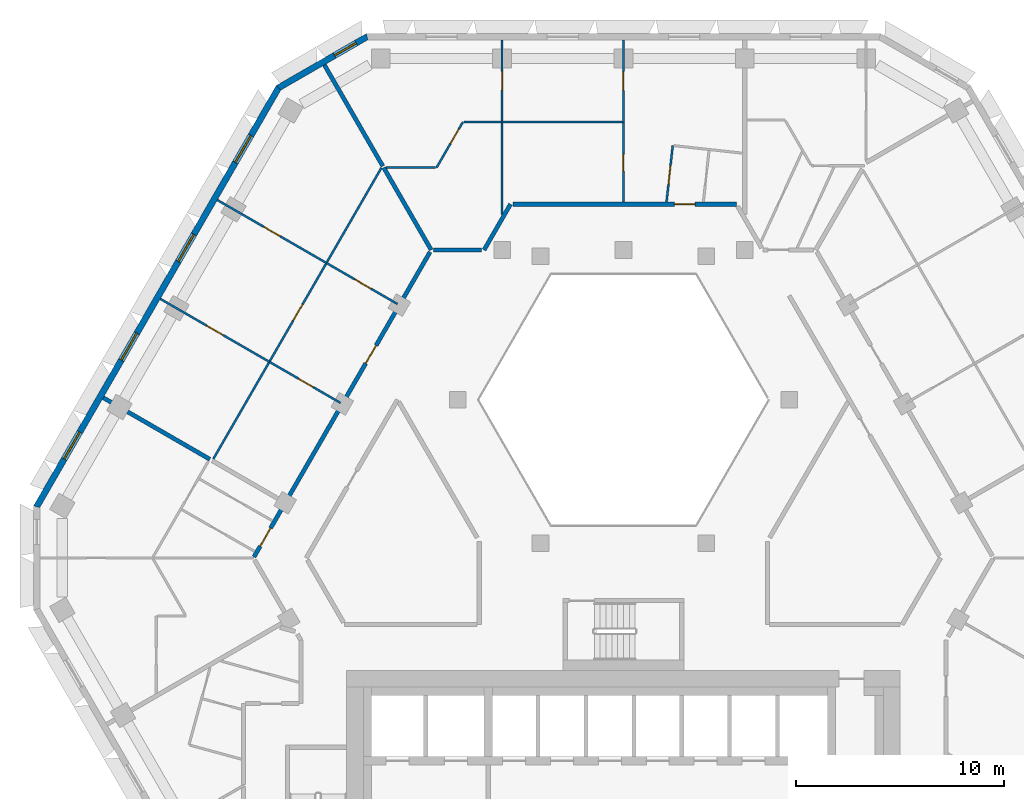
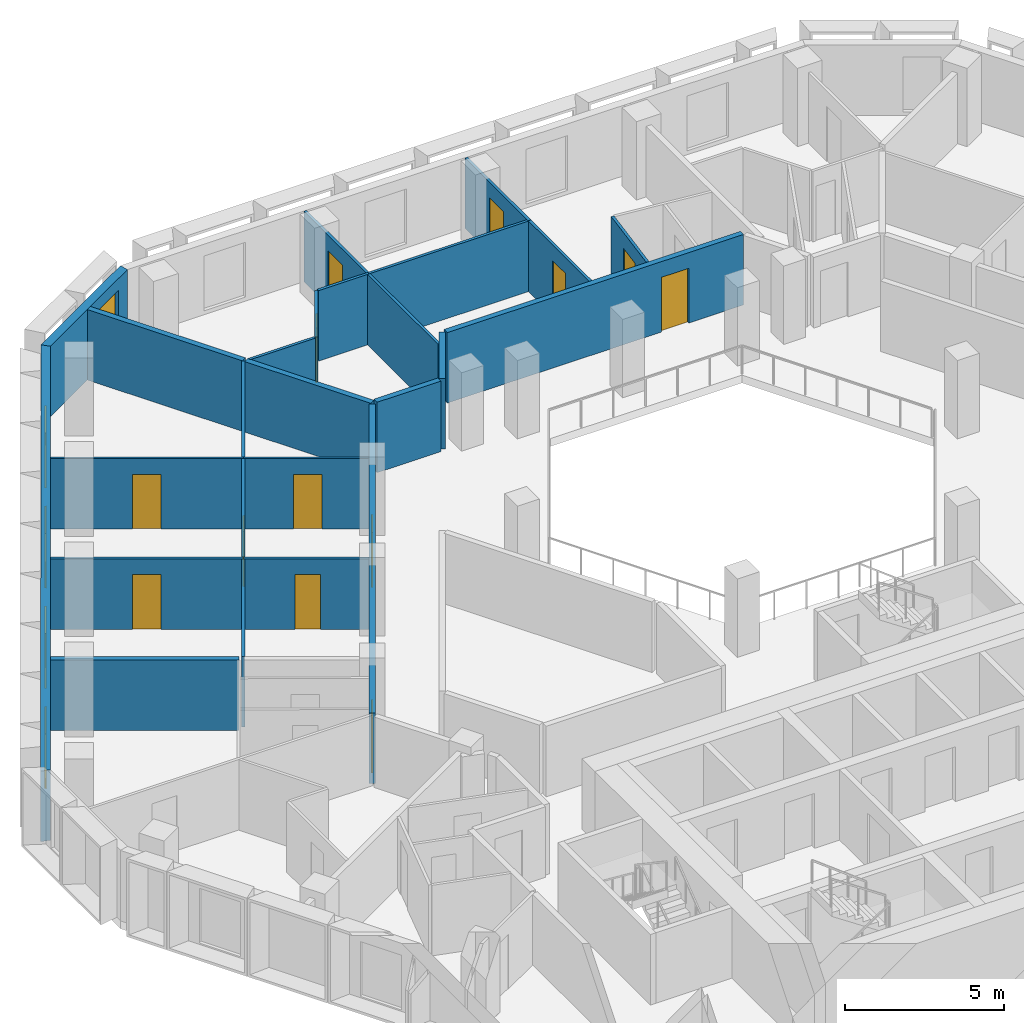
# One storey, part 7 of 15: 22 walls, 13 doors, 5 windows, 18 openings.
"""IFC4 building model written with IfcOpenShell, lengths in metres."""

from ifc_helpers import new_model, si_unit, direction, frame, frame_2d, origin, place, context, subcontext, project, spatial, polyline, rectangle, outline, extrude, material, layer, layer_set, type_object, element, fill, save


model = new_model("IFC4")

# Units and contexts
model_context = context("Model", 3, precision=1e-05, world=origin(), true_north=direction((0.0, 1.0)))
body_context = subcontext(model_context, "Body", "Model", "MODEL_VIEW")
ifc_project = project(units=[si_unit("LENGTHUNIT", "METRE"), si_unit("AREAUNIT", "SQUARE_METRE"), si_unit("VOLUMEUNIT", "CUBIC_METRE"), si_unit("PLANEANGLEUNIT", "RADIAN"), si_unit("MASSUNIT", "GRAM", prefix="KILO")], contexts=[model_context])

# Site, building, storey
site_placement = place(None, origin())
site = spatial("IfcSite", under=ifc_project, at=site_placement, CompositionType="ELEMENT")
building_placement = place(site_placement, origin())
building = spatial("IfcBuilding", under=site, at=building_placement, Name="Beryl Residences", CompositionType="ELEMENT")
storey_placement = place(building_placement, frame((0.0, 0.0, 129.60009765625)))
storey = spatial("IfcBuildingStorey", under=building, at=storey_placement, Name="L39", CompositionType="ELEMENT", Elevation=129.60009765625)

# Wall, opening, window
ifc_material_1 = material(Name="Composite metal panel with mineral wool insulation")
ifc_layer_1 = layer(ifc_material_1, 0.300048828125)
ifc_layer_set_1 = layer_set([ifc_layer_1], Name="ES1 pale metal composite panel wall 300 mm")
wall_type_1 = type_object("IfcWallType", Name="ES1 pale metal composite panel wall 300 mm", PredefinedType="SOLIDWALL", material=ifc_layer_set_1)
wall_1_placement = place(storey_placement, frame((-12.280029296875, 25.469970703125, 0.0), z_axis=(0.0, 0.0, 1.0), x_axis=(-0.866022959057, -0.500004234368, 0.0)))
wall_1 = element("IfcWall", 1, at=wall_1_placement, inside=storey, type_object=wall_type_1, Name="ES1 external wall L39 N-NW", PredefinedType="SOLIDWALL", context=body_context, shape_type="SweptSolid", body=[
    extrude(outline(polyline([(0.0, -0.14990234375), (5.0, -0.14990234375), (4.919677734375, 0.14990234375), (0.080322265625, 0.14990234375), (0.0, -0.14990234375)])), origin(), (0.0, 0.0, 1.0), 2.699951171875),
])
opening_1_placement = place(wall_1_placement, frame((0.64990234375, 0.0, 0.14990234375)))
opening_1 = element("IfcOpeningElement", 2, at=opening_1_placement, cuts=wall_1, Name="Opening W2", PredefinedType="OPENING", context=body_context, shape_type="SweptSolid", body=[
    extrude(rectangle(XDim=1.199951171875, YDim=2.10009765625, at=frame_2d((0.60009765625, 1.050048828125))), frame((0.0, 0.159912109375, 0.0), z_axis=(0.0, -1.0, 0.0), x_axis=(1.0, 0.0, 0.0)), (0.0, 0.0, 1.0), 0.320068359375),
])
ifc_material_2 = material(Name="Aluminium and clear glass", Category="aluminium")
window_type_1 = type_object("IfcWindowType", Name="W2 chamfer window 1200 x 2100 mm", PartitioningType="SINGLE_PANEL", PredefinedType="WINDOW", material=ifc_material_2)
window_1_placement = place(opening_1_placement, origin())
window_1 = element("IfcWindow", 3, at=window_1_placement, inside=storey, type_object=window_type_1, Name="W2 window L39 N-NW 1", OverallHeight=2.10009765625, OverallWidth=1.199951171875, PartitioningType="SINGLE_PANEL", PredefinedType="WINDOW", context=body_context, shape_type="SweptSolid", body=[
    extrude(rectangle(XDim=1.199951171875, YDim=2.10009765625, at=frame_2d((0.60009765625, 1.050048828125))), frame((0.0, 0.030029296875, 0.0), z_axis=(0.0, -1.0, 0.0), x_axis=(1.0, 0.0, 0.0)), (0.0, 0.0, 1.0), 0.06005859375),
])
fill(opening_1, window_1)

# Wall, openings, windows
wall_2_placement = place(storey_placement, frame((-16.554931640625, 23.02490234375, 0.0), z_axis=(0.0, 0.0, 1.0), x_axis=(-0.500020536353, -0.866013546791, 0.0)))
wall_2 = element("IfcWall", 4, at=wall_2_placement, inside=storey, type_object=wall_type_1, Name="ES1 external wall L39 NW", PredefinedType="SOLIDWALL", context=body_context, shape_type="SweptSolid", body=[
    extrude(outline(polyline([(0.0, -0.14990234375), (23.3251953125, -0.14990234375), (23.244873046875, 0.14990234375), (0.080322265625, 0.14990234375), (0.0, -0.14990234375)])), origin(), (0.0, 0.0, 1.0), 2.699951171875),
])
opening_2_placement = place(wall_2_placement, frame((2.68505859375, 0.0, 0.14990234375)))
opening_2 = element("IfcOpeningElement", 5, at=opening_2_placement, cuts=wall_2, Name="Opening W1", PredefinedType="OPENING", context=body_context, shape_type="SweptSolid", body=[
    extrude(rectangle(XDim=1.5, YDim=2.10009765625, at=frame_2d((0.75, 1.050048828125))), frame((0.0, 0.159912109375, 0.0), z_axis=(0.0, -1.0, 0.0), x_axis=(1.0, 0.0, 0.0)), (0.0, 0.0, 1.0), 0.320068359375),
])
opening_3_placement = place(wall_2_placement, frame((8.1708984375, 0.0, 0.14990234375)))
opening_3 = element("IfcOpeningElement", 6, at=opening_3_placement, cuts=wall_2, Name="Opening W1", PredefinedType="OPENING", context=body_context, shape_type="SweptSolid", body=[
    extrude(rectangle(XDim=1.5, YDim=2.10009765625, at=frame_2d((0.75, 1.050048828125))), frame((0.0, 0.159912109375, 0.0), z_axis=(0.0, -1.0, 0.0), x_axis=(1.0, 0.0, 0.0)), (0.0, 0.0, 1.0), 0.320068359375),
])
opening_4_placement = place(wall_2_placement, frame((13.655029296875, 0.0, 0.14990234375)))
opening_4 = element("IfcOpeningElement", 7, at=opening_4_placement, cuts=wall_2, Name="Opening W1", PredefinedType="OPENING", context=body_context, shape_type="SweptSolid", body=[
    extrude(rectangle(XDim=1.5, YDim=2.10009765625, at=frame_2d((0.75, 1.050048828125))), frame((0.0, 0.159912109375, 0.0), z_axis=(0.0, -1.0, 0.0), x_axis=(1.0, 0.0, 0.0)), (0.0, 0.0, 1.0), 0.320068359375),
])
opening_5_placement = place(wall_2_placement, frame((19.139892578125, 0.0, 0.14990234375)))
opening_5 = element("IfcOpeningElement", 8, at=opening_5_placement, cuts=wall_2, Name="Opening W1", PredefinedType="OPENING", context=body_context, shape_type="SweptSolid", body=[
    extrude(rectangle(XDim=1.5, YDim=2.10009765625, at=frame_2d((0.75, 1.050048828125))), frame((0.0, 0.159912109375, 0.0), z_axis=(0.0, -1.0, 0.0), x_axis=(1.0, 0.0, 0.0)), (0.0, 0.0, 1.0), 0.320068359375),
])
ifc_material_3 = material(Name="Aluminium and clear glass", Category="aluminium")
window_type_2 = type_object("IfcWindowType", Name="W1 cell window 1500 x 2100 mm", PartitioningType="SINGLE_PANEL", PredefinedType="WINDOW", material=ifc_material_3)
window_2_placement = place(opening_2_placement, origin())
window_2 = element("IfcWindow", 9, at=window_2_placement, inside=storey, type_object=window_type_2, Name="W1 window L39 NW 2", OverallHeight=2.10009765625, OverallWidth=1.5, PartitioningType="SINGLE_PANEL", PredefinedType="WINDOW", context=body_context, shape_type="SweptSolid", body=[
    extrude(rectangle(XDim=1.5, YDim=2.10009765625, at=frame_2d((0.75, 1.050048828125))), frame((0.0, 0.030029296875, 0.0), z_axis=(0.0, -1.0, 0.0), x_axis=(1.0, 0.0, 0.0)), (0.0, 0.0, 1.0), 0.06005859375),
])
fill(opening_2, window_2)
window_3_placement = place(opening_3_placement, origin())
window_3 = element("IfcWindow", 10, at=window_3_placement, inside=storey, type_object=window_type_2, Name="W1 window L39 NW 4", OverallHeight=2.10009765625, OverallWidth=1.5, PartitioningType="SINGLE_PANEL", PredefinedType="WINDOW", context=body_context, shape_type="SweptSolid", body=[
    extrude(rectangle(XDim=1.5, YDim=2.10009765625, at=frame_2d((0.75, 1.050048828125))), frame((0.0, 0.030029296875, 0.0), z_axis=(0.0, -1.0, 0.0), x_axis=(1.0, 0.0, 0.0)), (0.0, 0.0, 1.0), 0.06005859375),
])
fill(opening_3, window_3)
window_4_placement = place(opening_4_placement, origin())
window_4 = element("IfcWindow", 11, at=window_4_placement, inside=storey, type_object=window_type_2, Name="W1 window L39 NW 6", OverallHeight=2.10009765625, OverallWidth=1.5, PartitioningType="SINGLE_PANEL", PredefinedType="WINDOW", context=body_context, shape_type="SweptSolid", body=[
    extrude(rectangle(XDim=1.5, YDim=2.10009765625, at=frame_2d((0.75, 1.050048828125))), frame((0.0, 0.030029296875, 0.0), z_axis=(0.0, -1.0, 0.0), x_axis=(1.0, 0.0, 0.0)), (0.0, 0.0, 1.0), 0.06005859375),
])
fill(opening_4, window_4)
window_5_placement = place(opening_5_placement, origin())
window_5 = element("IfcWindow", 12, at=window_5_placement, inside=storey, type_object=window_type_2, Name="W1 window L39 NW 8", OverallHeight=2.10009765625, OverallWidth=1.5, PartitioningType="SINGLE_PANEL", PredefinedType="WINDOW", context=body_context, shape_type="SweptSolid", body=[
    extrude(rectangle(XDim=1.5, YDim=2.10009765625, at=frame_2d((0.75, 1.050048828125))), frame((0.0, 0.030029296875, 0.0), z_axis=(0.0, -1.0, 0.0), x_axis=(1.0, 0.0, 0.0)), (0.0, 0.0, 1.0), 0.06005859375),
])
fill(opening_5, window_5)

# Wall, opening, door
ifc_material_4 = material(Name="Gypsum board partition on steel studs", Category="steel")
ifc_layer_2 = layer(ifc_material_4, 0.10009765625)
ifc_layer_set_2 = layer_set([ifc_layer_2], Name="PT1 partition 100 mm gypsum board on steel studs")
wall_type_2 = type_object("IfcWallType", Name="PT1 partition 100 mm gypsum board on steel studs", PredefinedType="PARTITIONING", material=ifc_layer_set_2)
wall_3_placement = place(storey_placement, frame((0.0, 21.324951171875, 0.0), z_axis=(0.0, 0.0, 1.0), x_axis=(0.0, -1.0, 0.0)))
wall_3 = element("IfcWall", 13, at=wall_3_placement, inside=storey, type_object=wall_type_2, Name="Wall PT1 L39 007", PredefinedType="PARTITIONING", context=body_context, shape_type="SweptSolid", body=[
    extrude(rectangle(XDim=3.824951171875, YDim=0.10009765625, at=frame_2d((1.91259765625, 0.0))), origin(), (0.0, 0.0, 1.0), 2.699951171875),
])
opening_6_placement = place(wall_3_placement, frame((1.537109375, 0.0, 0.0)))
opening_6 = element("IfcOpeningElement", 14, at=opening_6_placement, cuts=wall_3, Name="Opening D1233", PredefinedType="OPENING", context=body_context, shape_type="SweptSolid", body=[
    extrude(rectangle(XDim=0.800048828125, YDim=2.10009765625, at=frame_2d((0.39990234375, 1.050048828125))), frame((0.0, 0.06005859375, 0.0), z_axis=(0.0, -1.0, 0.0), x_axis=(1.0, 0.0, 0.0)), (0.0, 0.0, 1.0), 0.1201171875),
])
ifc_material_5 = material(Name="Timber door leaf", Category="wood")
door_type_1 = type_object("IfcDoorType", Name="D3 bathroom door 800 x 2100 mm", OperationType="SINGLE_SWING_LEFT", PredefinedType="DOOR", material=ifc_material_5)
door_1_placement = place(opening_6_placement, origin())
door_1 = element("IfcDoor", 15, at=door_1_placement, inside=storey, type_object=door_type_1, Name="Door D1233 L39 001", OperationType="SINGLE_SWING_LEFT", OverallHeight=2.10009765625, OverallWidth=0.800048828125, PredefinedType="DOOR", context=body_context, shape_type="SweptSolid", body=[
    extrude(rectangle(XDim=0.800048828125, YDim=2.10009765625, at=frame_2d((0.39990234375, 1.050048828125))), frame((0.0, 0.02490234375, 0.0), z_axis=(0.0, -1.0, 0.0), x_axis=(1.0, 0.0, 0.0)), (0.0, 0.0, 1.0), 0.050048828125),
])
fill(opening_6, door_1)

wall_4_placement = place(storey_placement, frame((-22.257080078125, 12.85009765625, 0.0), z_axis=(0.0, 0.0, 1.0), x_axis=(0.866028448709, -0.499994725999, 0.0)))
wall_4 = element("IfcWall", 16, at=wall_4_placement, inside=storey, type_object=wall_type_2, Name="Wall PT1 L39 015", PredefinedType="PARTITIONING", context=body_context, shape_type="SweptSolid", body=[
    extrude(rectangle(XDim=6.05419921875, YDim=0.10009765625, at=frame_2d((3.027099609375, 0.0))), origin(), (0.0, 0.0, 1.0), 2.699951171875),
])
opening_7_placement = place(wall_4_placement, frame((2.576904296875, 0.0, 0.0)))
opening_7 = element("IfcOpeningElement", 17, at=opening_7_placement, cuts=wall_4, Name="Opening D1241", PredefinedType="OPENING", context=body_context, shape_type="SweptSolid", body=[
    extrude(rectangle(XDim=0.89990234375, YDim=2.10009765625, at=frame_2d((0.449951171875, 1.050048828125))), frame((0.0, 0.06005859375, 0.0), z_axis=(0.0, -1.0, 0.0), x_axis=(1.0, 0.0, 0.0)), (0.0, 0.0, 1.0), 0.1201171875),
])
ifc_material_6 = material(Name="Timber door leaf", Category="wood")
door_type_2 = type_object("IfcDoorType", Name="D2 room door 900 x 2100 mm", OperationType="SINGLE_SWING_LEFT", PredefinedType="DOOR", material=ifc_material_6)
door_2_placement = place(opening_7_placement, origin())
door_2 = element("IfcDoor", 18, at=door_2_placement, inside=storey, type_object=door_type_2, Name="Door D1241 L39 001", OperationType="SINGLE_SWING_LEFT", OverallHeight=2.10009765625, OverallWidth=0.89990234375, PredefinedType="DOOR", context=body_context, shape_type="SweptSolid", body=[
    extrude(rectangle(XDim=0.89990234375, YDim=2.10009765625, at=frame_2d((0.449951171875, 1.050048828125))), frame((0.0, 0.02490234375, 0.0), z_axis=(0.0, -1.0, 0.0), x_axis=(1.0, 0.0, 0.0)), (0.0, 0.0, 1.0), 0.050048828125),
])
fill(opening_7, door_2)

wall_5_placement = place(storey_placement, frame((-19.513916015625, 17.59912109375, 0.0), z_axis=(0.0, 0.0, 1.0), x_axis=(0.866088213453, -0.49989119468, 0.0)))
wall_5 = element("IfcWall", 19, at=wall_5_placement, inside=storey, type_object=wall_type_2, Name="Wall PT1 L39 017", PredefinedType="PARTITIONING", context=body_context, shape_type="SweptSolid", body=[
    extrude(rectangle(XDim=6.053466796875, YDim=0.10009765625, at=frame_2d((3.02685546875, 0.0))), origin(), (0.0, 0.0, 1.0), 2.699951171875),
])
opening_8_placement = place(wall_5_placement, frame((2.576904296875, 0.0, 0.0)))
opening_8 = element("IfcOpeningElement", 20, at=opening_8_placement, cuts=wall_5, Name="Opening D1242", PredefinedType="OPENING", context=body_context, shape_type="SweptSolid", body=[
    extrude(rectangle(XDim=0.89990234375, YDim=2.10009765625, at=frame_2d((0.449951171875, 1.050048828125))), frame((0.0, 0.06005859375, 0.0), z_axis=(0.0, -1.0, 0.0), x_axis=(1.0, 0.0, 0.0)), (0.0, 0.0, 1.0), 0.1201171875),
])
door_3_placement = place(opening_8_placement, origin())
door_3 = element("IfcDoor", 21, at=door_3_placement, inside=storey, type_object=door_type_2, Name="Door D1242 L39 001", OperationType="SINGLE_SWING_RIGHT", OverallHeight=2.10009765625, OverallWidth=0.89990234375, PredefinedType="DOOR", context=body_context, shape_type="SweptSolid", body=[
    extrude(rectangle(XDim=0.89990234375, YDim=2.10009765625, at=frame_2d((0.449951171875, 1.050048828125))), frame((0.0, 0.02490234375, 0.0), z_axis=(0.0, -1.0, 0.0), x_axis=(1.0, 0.0, 0.0)), (0.0, 0.0, 1.0), 0.050048828125),
])
fill(opening_8, door_3)

# Walls
wall_6_placement = place(storey_placement, frame((-11.405029296875, 19.155029296875, 0.0), z_axis=(0.0, 0.0, 1.0), x_axis=(1.0, 0.0, 0.0)))
element("IfcWall", 22, at=wall_6_placement, inside=storey, type_object=wall_type_2, Name="Wall PT1 L39 025", PredefinedType="PARTITIONING", context=body_context, shape_type="SweptSolid", body=[
    extrude(rectangle(XDim=2.366943359375, YDim=0.10009765625, at=frame_2d((1.18359375, 0.0))), origin(), (0.0, 0.0, 1.0), 2.699951171875),
])
wall_7_placement = place(storey_placement, frame((-7.652099609375, 21.35498046875, 0.0), z_axis=(0.0, 0.0, 1.0), x_axis=(1.0, 0.0, 0.0)))
element("IfcWall", 23, at=wall_7_placement, inside=storey, type_object=wall_type_2, Name="Wall PT1 L39 027", PredefinedType="PARTITIONING", context=body_context, shape_type="SweptSolid", body=[
    extrude(rectangle(XDim=1.821044921875, YDim=0.10009765625, at=frame_2d((0.91064453125, 0.0))), origin(), (0.0, 0.0, 1.0), 2.699951171875),
])

# Wall, opening, door
wall_8_placement = place(storey_placement, frame((-8.98095703125, 19.155029296875, 0.0), z_axis=(0.0, 0.0, 1.0), x_axis=(0.500130227609, 0.865950203783, 0.0)))
wall_8 = element("IfcWall", 24, at=wall_8_placement, inside=storey, type_object=wall_type_2, Name="Wall PT1 L39 030", PredefinedType="PARTITIONING", context=body_context, shape_type="SweptSolid", body=[
    extrude(rectangle(XDim=2.539306640625, YDim=0.10009765625, at=frame_2d((1.26953125, 0.0))), origin(), (0.0, 0.0, 1.0), 2.699951171875),
])
opening_9_placement = place(wall_8_placement, frame((1.340087890625, 0.0, 0.0)))
opening_9 = element("IfcOpeningElement", 25, at=opening_9_placement, cuts=wall_8, Name="Opening D1236", PredefinedType="OPENING", context=body_context, shape_type="SweptSolid", body=[
    extrude(rectangle(XDim=0.800048828125, YDim=2.10009765625, at=frame_2d((0.39990234375, 1.050048828125))), frame((0.0, 0.06005859375, 0.0), z_axis=(0.0, -1.0, 0.0), x_axis=(1.0, 0.0, 0.0)), (0.0, 0.0, 1.0), 0.1201171875),
])
door_4_placement = place(opening_9_placement, origin())
door_4 = element("IfcDoor", 26, at=door_4_placement, inside=storey, type_object=door_type_1, Name="Door D1236 L39 001", OperationType="SINGLE_SWING_RIGHT", OverallHeight=2.10009765625, OverallWidth=0.800048828125, PredefinedType="DOOR", context=body_context, shape_type="SweptSolid", body=[
    extrude(rectangle(XDim=0.800048828125, YDim=2.10009765625, at=frame_2d((0.39990234375, 1.050048828125))), frame((0.0, 0.02490234375, 0.0), z_axis=(0.0, -1.0, 0.0), x_axis=(1.0, 0.0, 0.0)), (0.0, 0.0, 1.0), 0.050048828125),
])
fill(opening_9, door_4)

wall_9_placement = place(storey_placement, frame((-19.7060546875, 5.159912109375, 0.0), z_axis=(0.0, 0.0, 1.0), x_axis=(0.500003799672, 0.866023210032, 0.0)))
wall_9 = element("IfcWall", 27, at=wall_9_placement, inside=storey, type_object=wall_type_2, Name="Wall PT1 L39 031", PredefinedType="PARTITIONING", context=body_context, shape_type="SweptSolid", body=[
    extrude(rectangle(XDim=16.149658203125, YDim=0.10009765625, at=frame_2d((8.07470703125, 0.0))), origin(), (0.0, 0.0, 1.0), 2.699951171875),
])
opening_10_placement = place(wall_9_placement, frame((7.677001953125, 0.0, 0.0)))
opening_10 = element("IfcOpeningElement", 28, at=opening_10_placement, cuts=wall_9, Name="Opening D1238", PredefinedType="OPENING", context=body_context, shape_type="SweptSolid", body=[
    extrude(rectangle(XDim=0.89990234375, YDim=2.10009765625, at=frame_2d((0.449951171875, 1.050048828125))), frame((0.0, 0.06005859375, 0.0), z_axis=(0.0, -1.0, 0.0), x_axis=(1.0, 0.0, 0.0)), (0.0, 0.0, 1.0), 0.1201171875),
])
door_5_placement = place(opening_10_placement, origin())
door_5 = element("IfcDoor", 29, at=door_5_placement, inside=storey, type_object=door_type_2, Name="Door D1238 L39 001", OperationType="SINGLE_SWING_RIGHT", OverallHeight=2.10009765625, OverallWidth=0.89990234375, PredefinedType="DOOR", context=body_context, shape_type="SweptSolid", body=[
    extrude(rectangle(XDim=0.89990234375, YDim=2.10009765625, at=frame_2d((0.449951171875, 1.050048828125))), frame((0.0, 0.02490234375, 0.0), z_axis=(0.0, -1.0, 0.0), x_axis=(1.0, 0.0, 0.0)), (0.0, 0.0, 1.0), 0.050048828125),
])
fill(opening_10, door_5)

wall_10_placement = place(storey_placement, frame((2.070068359375, 17.5, 0.0), z_axis=(0.0, 0.0, 1.0), x_axis=(0.108970694085, 0.994044962681, 0.0)))
wall_10 = element("IfcWall", 30, at=wall_10_placement, inside=storey, type_object=wall_type_2, Name="Wall PT1 L39 036", PredefinedType="PARTITIONING", context=body_context, shape_type="SweptSolid", body=[
    extrude(rectangle(XDim=2.7333984375, YDim=0.10009765625, at=frame_2d((1.36669921875, 0.0))), origin(), (0.0, 0.0, 1.0), 2.699951171875),
])
opening_11_placement = place(wall_10_placement, frame((0.866943359375, 0.0, 0.0)))
opening_11 = element("IfcOpeningElement", 31, at=opening_11_placement, cuts=wall_10, Name="Opening D1231", PredefinedType="OPENING", context=body_context, shape_type="SweptSolid", body=[
    extrude(rectangle(XDim=0.89990234375, YDim=2.10009765625, at=frame_2d((0.449951171875, 1.050048828125))), frame((0.0, 0.06005859375, 0.0), z_axis=(0.0, -1.0, 0.0), x_axis=(1.0, 0.0, 0.0)), (0.0, 0.0, 1.0), 0.1201171875),
])
door_6_placement = place(opening_11_placement, origin())
door_6 = element("IfcDoor", 32, at=door_6_placement, inside=storey, type_object=door_type_2, Name="Door D1231 L39 001", OperationType="SINGLE_SWING_LEFT", OverallHeight=2.10009765625, OverallWidth=0.89990234375, PredefinedType="DOOR", context=body_context, shape_type="SweptSolid", body=[
    extrude(rectangle(XDim=0.89990234375, YDim=2.10009765625, at=frame_2d((0.449951171875, 1.050048828125))), frame((0.0, 0.02490234375, 0.0), z_axis=(0.0, -1.0, 0.0), x_axis=(1.0, 0.0, 0.0)), (0.0, 0.0, 1.0), 0.050048828125),
])
fill(opening_11, door_6)

wall_11_placement = place(storey_placement, frame((0.0, 21.3349609375, 0.0), z_axis=(0.0, 0.0, 1.0), x_axis=(0.0, 1.0, 0.0)))
wall_11 = element("IfcWall", 33, at=wall_11_placement, inside=storey, type_object=wall_type_2, Name="Wall PT1 L39 043", PredefinedType="PARTITIONING", context=body_context, shape_type="SweptSolid", body=[
    extrude(rectangle(XDim=3.965087890625, YDim=0.10009765625, at=frame_2d((1.982421875, 0.0))), origin(), (0.0, 0.0, 1.0), 2.699951171875),
])
opening_12_placement = place(wall_11_placement, frame((1.532958984375, 0.0, 0.0)))
opening_12 = element("IfcOpeningElement", 34, at=opening_12_placement, cuts=wall_11, Name="Opening D1234", PredefinedType="OPENING", context=body_context, shape_type="SweptSolid", body=[
    extrude(rectangle(XDim=0.89990234375, YDim=2.10009765625, at=frame_2d((0.449951171875, 1.050048828125))), frame((0.0, 0.06005859375, 0.0), z_axis=(0.0, -1.0, 0.0), x_axis=(1.0, 0.0, 0.0)), (0.0, 0.0, 1.0), 0.1201171875),
])
door_7_placement = place(opening_12_placement, origin())
door_7 = element("IfcDoor", 35, at=door_7_placement, inside=storey, type_object=door_type_2, Name="Door D1234 L39 001", OperationType="SINGLE_SWING_RIGHT", OverallHeight=2.10009765625, OverallWidth=0.89990234375, PredefinedType="DOOR", context=body_context, shape_type="SweptSolid", body=[
    extrude(rectangle(XDim=0.89990234375, YDim=2.10009765625, at=frame_2d((0.449951171875, 1.050048828125))), frame((0.0, 0.02490234375, 0.0), z_axis=(0.0, -1.0, 0.0), x_axis=(1.0, 0.0, 0.0)), (0.0, 0.0, 1.0), 0.050048828125),
])
fill(opening_12, door_7)

wall_12_placement = place(storey_placement, frame((-5.8310546875, 16.89990234375, 0.0), z_axis=(0.0, 0.0, 1.0), x_axis=(0.0, 1.0, 0.0)))
wall_12 = element("IfcWall", 36, at=wall_12_placement, inside=storey, type_object=wall_type_2, Name="Wall PT1 L39 045", PredefinedType="PARTITIONING", context=body_context, shape_type="SweptSolid", body=[
    extrude(rectangle(XDim=8.400146484375, YDim=0.10009765625, at=frame_2d((4.2001953125, 0.0))), origin(), (0.0, 0.0, 1.0), 2.699951171875),
])
opening_13_placement = place(wall_12_placement, frame((5.97705078125, 0.0, 0.0)))
opening_13 = element("IfcOpeningElement", 37, at=opening_13_placement, cuts=wall_12, Name="Opening D1235", PredefinedType="OPENING", context=body_context, shape_type="SweptSolid", body=[
    extrude(rectangle(XDim=0.89990234375, YDim=2.10009765625, at=frame_2d((0.449951171875, 1.050048828125))), frame((0.0, 0.06005859375, 0.0), z_axis=(0.0, -1.0, 0.0), x_axis=(1.0, 0.0, 0.0)), (0.0, 0.0, 1.0), 0.1201171875),
])
door_8_placement = place(opening_13_placement, origin())
door_8 = element("IfcDoor", 38, at=door_8_placement, inside=storey, type_object=door_type_2, Name="Door D1235 L39 001", OperationType="SINGLE_SWING_LEFT", OverallHeight=2.10009765625, OverallWidth=0.89990234375, PredefinedType="DOOR", context=body_context, shape_type="SweptSolid", body=[
    extrude(rectangle(XDim=0.89990234375, YDim=2.10009765625, at=frame_2d((0.449951171875, 1.050048828125))), frame((0.0, 0.02490234375, 0.0), z_axis=(0.0, -1.0, 0.0), x_axis=(1.0, 0.0, 0.0)), (0.0, 0.0, 1.0), 0.050048828125),
])
fill(opening_13, door_8)

wall_13_placement = place(storey_placement, frame((-17.013916015625, 9.822998046875, 0.0), z_axis=(0.0, 0.0, 1.0), x_axis=(0.866076396086, -0.499911668341, 0.0)))
wall_13 = element("IfcWall", 39, at=wall_13_placement, inside=storey, type_object=wall_type_2, Name="Wall PT1 L39 055", PredefinedType="PARTITIONING", context=body_context, shape_type="SweptSolid", body=[
    extrude(rectangle(XDim=3.946533203125, YDim=0.10009765625, at=frame_2d((1.97314453125, 0.0))), origin(), (0.0, 0.0, 1.0), 2.699951171875),
])
opening_14_placement = place(wall_13_placement, frame((1.623046875, 0.0, 0.0)))
opening_14 = element("IfcOpeningElement", 40, at=opening_14_placement, cuts=wall_13, Name="Opening D1240", PredefinedType="OPENING", context=body_context, shape_type="SweptSolid", body=[
    extrude(rectangle(XDim=0.800048828125, YDim=2.10009765625, at=frame_2d((0.39990234375, 1.050048828125))), frame((0.0, 0.06005859375, 0.0), z_axis=(0.0, -1.0, 0.0), x_axis=(1.0, 0.0, 0.0)), (0.0, 0.0, 1.0), 0.1201171875),
])
door_9_placement = place(opening_14_placement, origin())
door_9 = element("IfcDoor", 41, at=door_9_placement, inside=storey, type_object=door_type_1, Name="Door D1240 L39 001", OperationType="SINGLE_SWING_RIGHT", OverallHeight=2.10009765625, OverallWidth=0.800048828125, PredefinedType="DOOR", context=body_context, shape_type="SweptSolid", body=[
    extrude(rectangle(XDim=0.800048828125, YDim=2.10009765625, at=frame_2d((0.39990234375, 1.050048828125))), frame((0.0, 0.02490234375, 0.0), z_axis=(0.0, -1.0, 0.0), x_axis=(1.0, 0.0, 0.0)), (0.0, 0.0, 1.0), 0.050048828125),
])
fill(opening_14, door_9)

wall_14_placement = place(storey_placement, frame((-14.27099609375, 14.572998046875, 0.0), z_axis=(0.0, 0.0, 1.0), x_axis=(0.866014535457, -0.500018824023, 0.0)))
wall_14 = element("IfcWall", 42, at=wall_14_placement, inside=storey, type_object=wall_type_2, Name="Wall PT1 L39 056", PredefinedType="PARTITIONING", context=body_context, shape_type="SweptSolid", body=[
    extrude(rectangle(XDim=3.945556640625, YDim=0.10009765625, at=frame_2d((1.97265625, 0.0))), origin(), (0.0, 0.0, 1.0), 2.699951171875),
])
opening_15_placement = place(wall_14_placement, frame((1.573974609375, 0.0, 0.0)))
opening_15 = element("IfcOpeningElement", 43, at=opening_15_placement, cuts=wall_14, Name="Opening D1239", PredefinedType="OPENING", context=body_context, shape_type="SweptSolid", body=[
    extrude(rectangle(XDim=0.89990234375, YDim=2.10009765625, at=frame_2d((0.449951171875, 1.050048828125))), frame((0.0, 0.06005859375, 0.0), z_axis=(0.0, -1.0, 0.0), x_axis=(1.0, 0.0, 0.0)), (0.0, 0.0, 1.0), 0.1201171875),
])
door_10_placement = place(opening_15_placement, origin())
door_10 = element("IfcDoor", 44, at=door_10_placement, inside=storey, type_object=door_type_2, Name="Door D1239 L39 001", OperationType="SINGLE_SWING_LEFT", OverallHeight=2.10009765625, OverallWidth=0.89990234375, PredefinedType="DOOR", context=body_context, shape_type="SweptSolid", body=[
    extrude(rectangle(XDim=0.89990234375, YDim=2.10009765625, at=frame_2d((0.449951171875, 1.050048828125))), frame((0.0, 0.02490234375, 0.0), z_axis=(0.0, -1.0, 0.0), x_axis=(1.0, 0.0, 0.0)), (0.0, 0.0, 1.0), 0.050048828125),
])
fill(opening_15, door_10)

# Walls
wall_15_placement = place(storey_placement, frame((-5.8310546875, 21.35498046875, 0.0), z_axis=(0.0, 0.0, 1.0), x_axis=(1.0, 0.0, 0.0)))
element("IfcWall", 45, at=wall_15_placement, inside=storey, type_object=wall_type_2, Name="Wall PT1 L39 057", PredefinedType="PARTITIONING", context=body_context, shape_type="SweptSolid", body=[
    extrude(rectangle(XDim=5.781005859375, YDim=0.10009765625, at=frame_2d((2.890625, 0.0))), origin(), (0.0, 0.0, 1.0), 2.699951171875),
])
ifc_material_7 = material(Name="Acoustic double stud gypsum board wall")
ifc_layer_3 = layer(ifc_material_7, 0.199951171875)
ifc_layer_set_3 = layer_set([ifc_layer_3], Name="PT3 party wall 200 mm acoustic double stud")
wall_type_3 = type_object("IfcWallType", Name="PT3 party wall 200 mm acoustic double stud", PredefinedType="PARTITIONING", material=ifc_layer_set_3)
wall_16_placement = place(storey_placement, frame((-14.3701171875, 24.090087890625, 0.0), z_axis=(0.0, 0.0, 1.0), x_axis=(0.499982088007, -0.866035745032, 0.0)))
element("IfcWall", 46, at=wall_16_placement, inside=storey, type_object=wall_type_3, Name="Wall PT3 L39 001", PredefinedType="PARTITIONING", context=body_context, shape_type="SweptSolid", body=[
    extrude(rectangle(XDim=5.616455078125, YDim=0.199951171875, at=frame_2d((2.80810546875, 0.0))), origin(), (0.0, 0.0, 1.0), 2.699951171875),
])
wall_17_placement = place(storey_placement, frame((-11.52001953125, 19.155029296875, 0.0), z_axis=(0.0, 0.0, 1.0), x_axis=(0.499916824138, -0.866073420066, 0.0)))
element("IfcWall", 47, at=wall_17_placement, inside=storey, type_object=wall_type_3, Name="Wall PT3 L39 002", PredefinedType="PARTITIONING", context=body_context, shape_type="SweptSolid", body=[
    extrude(rectangle(XDim=4.566650390625, YDim=0.199951171875, at=frame_2d((2.283203125, 0.0))), origin(), (0.0, 0.0, 1.0), 2.699951171875),
])
wall_18_placement = place(storey_placement, frame((-24.9990234375, 8.10009765625, 0.0), z_axis=(0.0, 0.0, 1.0), x_axis=(0.866013897511, -0.50001992892, 0.0)))
element("IfcWall", 48, at=wall_18_placement, inside=storey, type_object=wall_type_3, Name="Wall PT3 L39 005", PredefinedType="PARTITIONING", context=body_context, shape_type="SweptSolid", body=[
    extrude(rectangle(XDim=5.920166015625, YDim=0.199951171875, at=frame_2d((2.9599609375, 0.0))), origin(), (0.0, 0.0, 1.0), 2.699951171875),
])
ifc_material_8 = material(Name="Double stud gypsum board wall")
ifc_layer_4 = layer(ifc_material_8, 0.199951171875)
ifc_layer_set_4 = layer_set([ifc_layer_4], Name="PT4 corridor wall 200 mm double stud")
wall_type_4 = type_object("IfcWallType", Name="PT4 corridor wall 200 mm double stud", PredefinedType="PARTITIONING", material=ifc_layer_set_4)
wall_19_placement = place(storey_placement, frame((-9.12109375, 15.199951171875, 0.0), z_axis=(0.0, 0.0, 1.0), x_axis=(1.0, 0.0, 0.0)))
element("IfcWall", 49, at=wall_19_placement, inside=storey, type_object=wall_type_4, Name="Wall PT4 L39 015", PredefinedType="PARTITIONING", context=body_context, shape_type="SweptSolid", body=[
    extrude(rectangle(XDim=2.30810546875, YDim=0.199951171875, at=frame_2d((1.154052734375, 0.0))), origin(), (0.0, 0.0, 1.0), 2.699951171875),
])

# Wall, opening, door
wall_20_placement = place(storey_placement, frame((-5.31103515625, 17.39990234375, 0.0), z_axis=(0.0, 0.0, 1.0), x_axis=(1.0, 0.0, 0.0)))
wall_20 = element("IfcWall", 50, at=wall_20_placement, inside=storey, type_object=wall_type_4, Name="Wall PT4 L39 017", PredefinedType="PARTITIONING", context=body_context, shape_type="SweptSolid", body=[
    extrude(rectangle(XDim=10.738037109375, YDim=0.199951171875, at=frame_2d((5.369140625, 0.0))), origin(), (0.0, 0.0, 1.0), 2.699951171875),
])
opening_16_placement = place(wall_20_placement, frame((7.758056640625, 0.0, 0.0)))
opening_16 = element("IfcOpeningElement", 51, at=opening_16_placement, cuts=wall_20, Name="Opening D1230", PredefinedType="OPENING", context=body_context, shape_type="SweptSolid", body=[
    extrude(rectangle(XDim=1.0, YDim=2.10009765625, at=frame_2d((0.5, 1.050048828125))), frame((0.0, 0.10986328125, 0.0), z_axis=(0.0, -1.0, 0.0), x_axis=(1.0, 0.0, 0.0)), (0.0, 0.0, 1.0), 0.219970703125),
])
ifc_material_9 = material(Name="Timber door leaf", Category="wood")
door_type_3 = type_object("IfcDoorType", Name="D1 flat entrance door 1000 x 2100 mm", OperationType="SINGLE_SWING_LEFT", PredefinedType="DOOR", material=ifc_material_9)
door_11_placement = place(opening_16_placement, origin())
door_11 = element("IfcDoor", 52, at=door_11_placement, inside=storey, type_object=door_type_3, Name="Door D1230 L39 001", OperationType="SINGLE_SWING_RIGHT", OverallHeight=2.10009765625, OverallWidth=1.0, PredefinedType="DOOR", context=body_context, shape_type="SweptSolid", body=[
    extrude(rectangle(XDim=1.0, YDim=2.10009765625, at=frame_2d((0.5, 1.050048828125))), frame((0.0, 0.02490234375, 0.0), z_axis=(0.0, -1.0, 0.0), x_axis=(1.0, 0.0, 0.0)), (0.0, 0.0, 1.0), 0.050048828125),
])
fill(opening_16, door_11)

# Wall
wall_21_placement = place(storey_placement, frame((-6.697021484375, 15.199951171875, 0.0), z_axis=(0.0, 0.0, 1.0), x_axis=(0.499963722229, 0.866046347752, 0.0)))
element("IfcWall", 53, at=wall_21_placement, inside=storey, type_object=wall_type_4, Name="Wall PT4 L39 022", PredefinedType="PARTITIONING", context=body_context, shape_type="SweptSolid", body=[
    extrude(rectangle(XDim=2.540283203125, YDim=0.199951171875, at=frame_2d((1.27001953125, 0.0))), origin(), (0.0, 0.0, 1.0), 2.699951171875),
])

# Wall, openings, doors
wall_22_placement = place(storey_placement, frame((-17.7529296875, 0.449951171875, 0.0), z_axis=(0.0, 0.0, 1.0), x_axis=(0.499988552313, 0.866032013009, 0.0)))
wall_22 = element("IfcWall", 54, at=wall_22_placement, inside=storey, type_object=wall_type_4, Name="Wall PT4 L39 023", PredefinedType="PARTITIONING", context=body_context, shape_type="SweptSolid", body=[
    extrude(rectangle(XDim=16.91650390625, YDim=0.199951171875, at=frame_2d((8.458251953125, 0.0))), origin(), (0.0, 0.0, 1.0), 2.699951171875),
])
opening_17_placement = place(wall_22_placement, frame((10.72998046875, 0.0, 0.0)))
opening_17 = element("IfcOpeningElement", 55, at=opening_17_placement, cuts=wall_22, Name="Opening D1237", PredefinedType="OPENING", context=body_context, shape_type="SweptSolid", body=[
    extrude(rectangle(XDim=1.0, YDim=2.10009765625, at=frame_2d((0.5, 1.050048828125))), frame((0.0, 0.10986328125, 0.0), z_axis=(0.0, -1.0, 0.0), x_axis=(1.0, 0.0, 0.0)), (0.0, 0.0, 1.0), 0.219970703125),
])
opening_18_placement = place(wall_22_placement, frame((0.593994140625, 0.0, 0.0)))
opening_18 = element("IfcOpeningElement", 56, at=opening_18_placement, cuts=wall_22, Name="Opening D1243", PredefinedType="OPENING", context=body_context, shape_type="SweptSolid", body=[
    extrude(rectangle(XDim=1.0, YDim=2.10009765625, at=frame_2d((0.5, 1.050048828125))), frame((0.0, 0.10986328125, 0.0), z_axis=(0.0, -1.0, 0.0), x_axis=(1.0, 0.0, 0.0)), (0.0, 0.0, 1.0), 0.219970703125),
])
door_12_placement = place(opening_17_placement, origin())
door_12 = element("IfcDoor", 57, at=door_12_placement, inside=storey, type_object=door_type_3, Name="Door D1237 L39 001", OperationType="SINGLE_SWING_LEFT", OverallHeight=2.10009765625, OverallWidth=1.0, PredefinedType="DOOR", context=body_context, shape_type="SweptSolid", body=[
    extrude(rectangle(XDim=1.0, YDim=2.10009765625, at=frame_2d((0.5, 1.050048828125))), frame((0.0, 0.02490234375, 0.0), z_axis=(0.0, -1.0, 0.0), x_axis=(1.0, 0.0, 0.0)), (0.0, 0.0, 1.0), 0.050048828125),
])
fill(opening_17, door_12)
door_13_placement = place(opening_18_placement, origin())
door_13 = element("IfcDoor", 58, at=door_13_placement, inside=storey, type_object=door_type_3, Name="Door D1243 L39 001", OperationType="SINGLE_SWING_LEFT", OverallHeight=2.10009765625, OverallWidth=1.0, PredefinedType="DOOR", context=body_context, shape_type="SweptSolid", body=[
    extrude(rectangle(XDim=1.0, YDim=2.10009765625, at=frame_2d((0.5, 1.050048828125))), frame((0.0, 0.02490234375, 0.0), z_axis=(0.0, -1.0, 0.0), x_axis=(1.0, 0.0, 0.0)), (0.0, 0.0, 1.0), 0.050048828125),
])
fill(opening_18, door_13)

save(model, "model.ifc")
